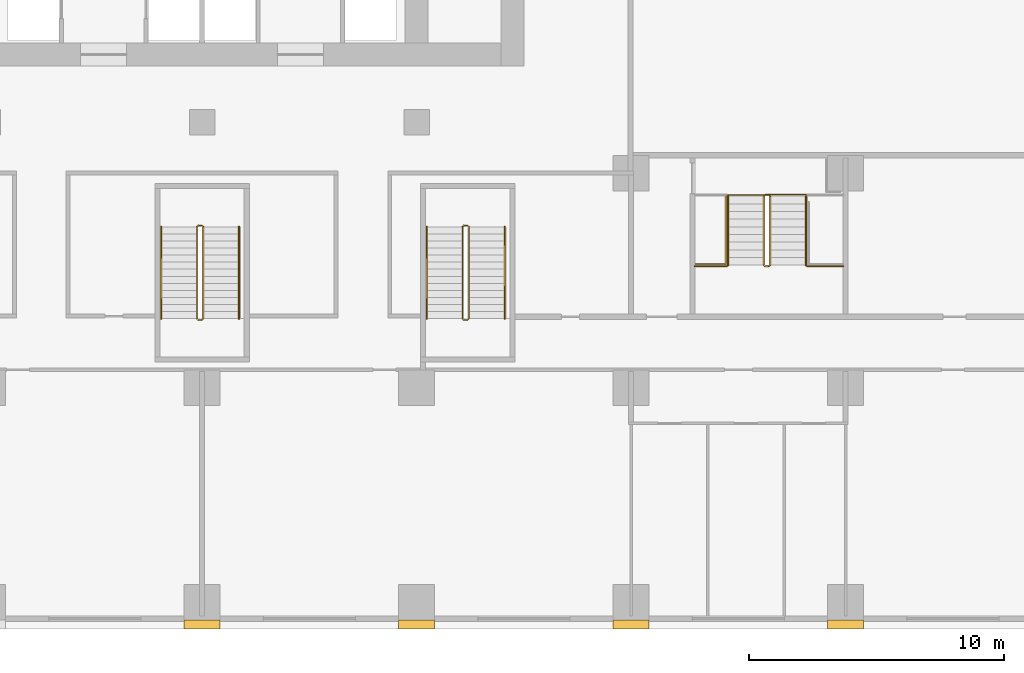
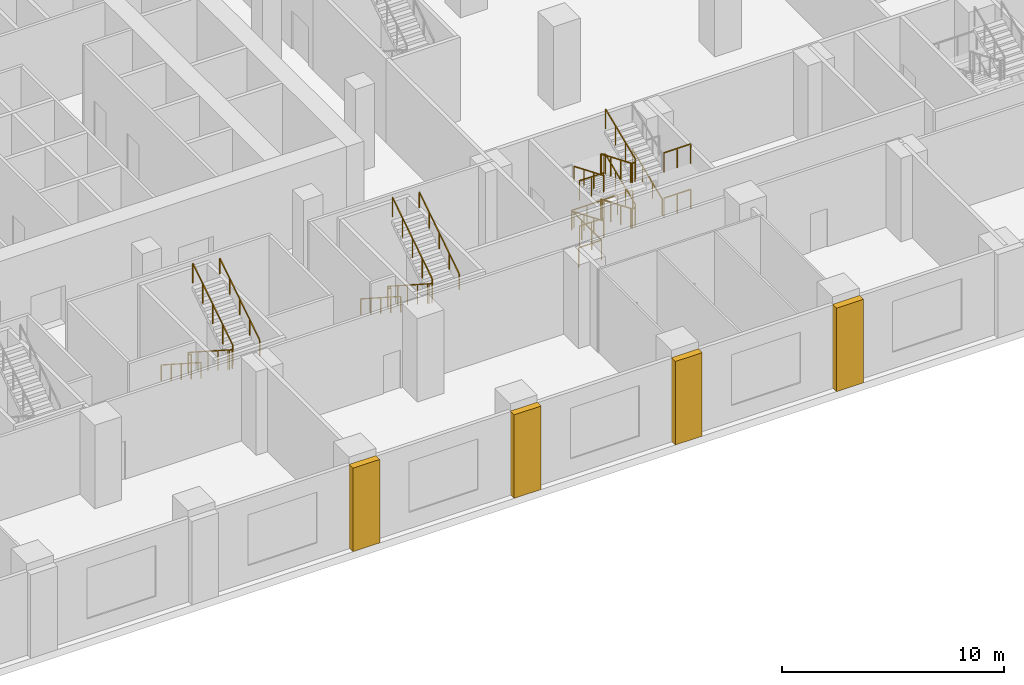
# One storey, part 22 of 29: 15 railings, 4 coverings.
"""IFC4 building model written with IfcOpenShell, lengths in metres."""

import ifcopenshell
import ifcopenshell.guid

model = None  # the IFC model being written
_history = None  # IfcOwnerHistory: only IFC2X3 demands one
_inside = {}  # id of a spatial element -> (the spatial element, [elements in it])
_under = {}  # id of a project, library or spatial element -> (it, [spatial elements below it])
_declared = {}  # id of a project -> (the project, [libraries it declares])
_typed = {}  # id of a type object -> (the type object, [elements of that type])
_made_of = {}  # id of a material, layer set ... -> (it, [elements and type objects made of it])


def new_model(schema):
    """Start an empty IFC model of exactly this schema.

    Asked for "IFC4X3", IfcOpenShell would pick the latest addendum, in which some entities
    have other attributes; the version numbers below select the first issue.
    IFC2X3 requires an IfcOwnerHistory on every rooted entity: one is made here for all.
    """
    global model, _history
    if schema == "IFC4X3":
        model = ifcopenshell.file(schema_version=(4, 3, 0, 0))
    else:
        model = ifcopenshell.file(schema=schema)
    _inside.clear()
    _under.clear()
    _declared.clear()
    _typed.clear()
    _made_of.clear()
    _history = None
    if model.schema == "IFC2X3":
        org = make("IfcOrganization", Name="unknown")
        user = make(
            "IfcPersonAndOrganization",
            ThePerson=make("IfcPerson", FamilyName="unknown"),
            TheOrganization=org,
        )
        app = make(
            "IfcApplication",
            ApplicationDeveloper=org,
            Version="unknown",
            ApplicationFullName="unknown",
            ApplicationIdentifier="unknown",
        )
        _history = make(
            "IfcOwnerHistory",
            OwningUser=user,
            OwningApplication=app,
            ChangeAction="ADDED",
            CreationDate=0,
        )
    return model


def make(cls, **values):
    """One entity of the class cls with the attributes given. An attribute that is None is left unset."""
    return model.create_entity(
        cls, **{name: value for name, value in values.items() if value is not None}
    )


def rooted(cls, **values):
    """An entity with a GlobalId (a new one), such as an element, a storey or a relation."""
    return make(cls, GlobalId=ifcopenshell.guid.new(), OwnerHistory=_history, **values)


def si_unit(unit_type, name, prefix=None):
    """IfcSIUnit, for example si_unit("LENGTHUNIT", "METRE", prefix="MILLI")."""
    return make("IfcSIUnit", UnitType=unit_type, Prefix=prefix, Name=name)


def assignment(units):
    """IfcUnitAssignment: the units of a project."""
    return None if units is None else make("IfcUnitAssignment", Units=units)


def point(xyz):
    """IfcCartesianPoint."""
    return None if xyz is None else make("IfcCartesianPoint", Coordinates=xyz)


def direction(xyz):
    """IfcDirection."""
    return None if xyz is None else make("IfcDirection", DirectionRatios=xyz)


def frame(location, z_axis=None, x_axis=None):
    """IfcAxis2Placement3D, a coordinate frame: its origin and axes. An axis left out is left unset."""
    return make(
        "IfcAxis2Placement3D",
        Location=point(location),
        Axis=direction(z_axis),
        RefDirection=direction(x_axis),
    )


def frame_2d(location, x_axis=None):
    """IfcAxis2Placement2D, a coordinate frame in the plane: its origin and x axis."""
    return make(
        "IfcAxis2Placement2D", Location=point(location), RefDirection=direction(x_axis)
    )


def origin():
    """The frame at (0, 0, 0) with its axes left unset."""
    return frame((0.0, 0.0, 0.0))


def origin_2d():
    """The frame at (0, 0) in the plane with its x axis left unset."""
    return frame_2d((0.0, 0.0))


def place(relative_to, where):
    """IfcLocalPlacement: puts the frame where relative to a parent placement (None: the world)."""
    return make(
        "IfcLocalPlacement", PlacementRelTo=relative_to, RelativePlacement=where
    )


def context(
    kind, dimensions, precision=None, world=None, true_north=None, identifier=None
):
    """IfcGeometricRepresentationContext, for example the 3D "Model" context."""
    return make(
        "IfcGeometricRepresentationContext",
        ContextIdentifier=identifier,
        ContextType=kind,
        CoordinateSpaceDimension=dimensions,
        Precision=precision,
        WorldCoordinateSystem=world,
        TrueNorth=true_north,
    )


def subcontext(parent, identifier, kind, view, scale=None):
    """IfcGeometricRepresentationSubContext, for example "Body" below "Model"."""
    return make(
        "IfcGeometricRepresentationSubContext",
        ContextIdentifier=identifier,
        ContextType=kind,
        ParentContext=parent,
        TargetScale=scale,
        TargetView=view,
    )


def project(units=None, contexts=None):
    """IfcProject with its units and contexts."""
    return rooted(
        "IfcProject",
        Name="project",
        RepresentationContexts=contexts,
        UnitsInContext=assignment(units),
    )


def spatial(cls, under=None, at=None, **own):
    """A site, building, storey or space (cls), placed at a placement, below another one or the project."""
    s = rooted(cls, ObjectPlacement=at, **own)
    if under is not None:
        _under.setdefault(under.id(), (under, []))[1].append(s)
    return s


def polyline(points):
    """IfcPolyline through the points."""
    return make("IfcPolyline", Points=[point(p) for p in points])


def profile(cls, at=None, kind="AREA", **sizes):
    """A parametric profile (cls). Its sizes go by their IFC names, for example OverallWidth=200.0."""
    return make(cls, ProfileType=kind, Position=at, **sizes)


def rectangle(**sizes):
    """IfcRectangleProfileDef."""
    return profile("IfcRectangleProfileDef", **sizes)


def outline(outer, holes=None, kind="AREA"):
    """IfcArbitraryClosedProfileDef: a profile drawn as a closed curve; with holes, ...WithVoids."""
    if holes is None:
        return make("IfcArbitraryClosedProfileDef", ProfileType=kind, OuterCurve=outer)
    return make(
        "IfcArbitraryProfileDefWithVoids",
        ProfileType=kind,
        OuterCurve=outer,
        InnerCurves=holes,
    )


def extrude(swept, where, along, depth):
    """IfcExtrudedAreaSolid: the profile swept, set in the frame where, extruded along a direction by depth."""
    return make(
        "IfcExtrudedAreaSolid",
        SweptArea=swept,
        Position=where,
        ExtrudedDirection=direction(along),
        Depth=depth,
    )


def shape(context_of_items, identifier, shape_type, items):
    """IfcShapeRepresentation: the items that make up one representation, for example the "Body"."""
    return make(
        "IfcShapeRepresentation",
        ContextOfItems=context_of_items,
        RepresentationIdentifier=identifier,
        RepresentationType=shape_type,
        Items=items,
    )


def material(Name=None, Category=None):
    """IfcMaterial."""
    return make("IfcMaterial", Name=Name, Category=Category)


def made_of(thing, what):
    """Note that an element or type object is made of a material, layer set ...; save() writes the relation."""
    if what is not None:
        _made_of.setdefault(what.id(), (what, []))[1].append(thing)
    return thing


def type_object(cls, material=None, **own):
    """A type object (cls), such as IfcWallType, which elements share."""
    return made_of(rooted(cls, **own), material)


def element(
    cls,
    number,
    at=None,
    inside=None,
    cuts=None,
    type_object=None,
    material=None,
    context=None,
    identifier="Body",
    shape_type=None,
    held_by="IfcProductDefinitionShape",
    body=None,
    shapes=None,
    **own,
):
    """One element of the class cls, such as IfcWall. Its Tag is "e" and its number.

    at: its placement. inside: the storey or other place that contains it. cuts: it is an
    opening in that element (IfcRelVoidsElement). A single representation is given by context,
    identifier, shape_type and body (its items); several are given by shapes. held_by: the class
    of the entity that holds the representations. save() writes the other relations.
    """
    e = rooted(cls, Tag="e%d" % number, ObjectPlacement=at, **own)
    if body is not None:
        shapes = [shape(context, identifier, shape_type, body)]
    if shapes is not None:
        e.Representation = make(held_by, Representations=shapes)
    if inside is not None:
        _inside.setdefault(inside.id(), (inside, []))[1].append(e)
    if cuts is not None:
        rooted(
            "IfcRelVoidsElement", RelatingBuildingElement=cuts, RelatedOpeningElement=e
        )
    if type_object is not None:
        _typed.setdefault(type_object.id(), (type_object, []))[1].append(e)
    return made_of(e, material)


def aggregate(whole, parts):
    """IfcRelAggregates: a whole, such as a stair, and the parts it consists of."""
    return rooted("IfcRelAggregates", RelatingObject=whole, RelatedObjects=parts)


def save(model, path):
    """Write the relations noted so far, then the file.

    IfcRelAggregates (storeys below a building ...), IfcRelContainedInSpatialStructure (elements
    in a storey), IfcRelDefinesByType, IfcRelAssociatesMaterial and IfcRelDeclares: one each for
    every whole, place, type object, material and project.
    """
    for whole, parts in _under.values():
        aggregate(whole, parts)
    for where, things in _inside.values():
        rooted(
            "IfcRelContainedInSpatialStructure",
            RelatedElements=things,
            RelatingStructure=where,
        )
    for kind, things in _typed.values():
        rooted("IfcRelDefinesByType", RelatedObjects=things, RelatingType=kind)
    for what, things in _made_of.values():
        rooted("IfcRelAssociatesMaterial", RelatedObjects=things, RelatingMaterial=what)
    for by, libraries in _declared.values():
        rooted("IfcRelDeclares", RelatingContext=by, RelatedDefinitions=libraries)
    model.write(path)


model = new_model("IFC4")

# Units and contexts
model_context = context("Model", 3, precision=1e-05, world=origin(), true_north=direction((0.0, 1.0)))
body_context = subcontext(model_context, "Body", "Model", "MODEL_VIEW")
ifc_project = project(units=[si_unit("LENGTHUNIT", "METRE"), si_unit("AREAUNIT", "SQUARE_METRE"), si_unit("VOLUMEUNIT", "CUBIC_METRE"), si_unit("PLANEANGLEUNIT", "RADIAN"), si_unit("MASSUNIT", "GRAM", prefix="KILO")], contexts=[model_context])

# Site, building, storey
site_placement = place(None, origin())
site = spatial("IfcSite", under=ifc_project, at=site_placement, CompositionType="ELEMENT")
building_placement = place(site_placement, origin())
building = spatial("IfcBuilding", under=site, at=building_placement, Name="Vermilion Ogive Tower", CompositionType="ELEMENT")
storey_placement = place(building_placement, frame((0.0, 0.0, 7.5)))
storey = spatial("IfcBuildingStorey", under=building, at=storey_placement, Name="L01", CompositionType="ELEMENT", Elevation=7.5)

# Railings
ifc_material_1 = material(Name="Steel S355 painted", Category="steel")
railing_type_1 = type_object("IfcRailingType", Name="Stair guard 1100", PredefinedType="GUARDRAIL", material=ifc_material_1)
railing_1_placement = place(storey_placement, frame((0.0, -14.64990234375, 0.0)))
element("IfcRailing", 1, at=railing_1_placement, inside=storey, type_object=railing_type_1, Name="L01 ST4 stair guard 4", PredefinedType="GUARDRAIL", context=body_context, shape_type="SweptSolid", body=[
    extrude(rectangle(XDim=0.048095703125, YDim=0.048095703125, at=origin_2d()), frame((0.0, 0.0, 1.076171875), z_axis=(-1.0, 0.0, 0.0), x_axis=(0.0, -1.0, 0.0)), (0.0, 0.0, 1.0), 0.14990234375),
    extrude(rectangle(XDim=0.048095703125, YDim=0.048095703125, at=origin_2d()), frame((-0.14990234375, 0.0, 1.076171875), z_axis=(-0.260684529273, -0.260684529273, 0.929562882432), x_axis=(0.707106781187, -0.707106781187, 0.0)), (0.0, 0.0, 1.0), 0.19189453125),
    extrude(rectangle(XDim=0.048095703125, YDim=0.048095703125, at=origin_2d()), frame((-0.199951171875, -0.050048828125, 1.25439453125), z_axis=(0.0, -0.840414717549, 0.541943818607), x_axis=(1.0, 0.0, 0.0)), (0.0, 0.0, 1.0), 4.28369140625),
    extrude(rectangle(XDim=0.048095703125, YDim=0.048095703125, at=origin_2d()), frame((-0.199951171875, -3.650146484375, 3.576171875), z_axis=(0.707106781187, -0.707106781187, 0.0), x_axis=(0.707106781187, 0.707106781187, 0.0)), (0.0, 0.0, 1.0), 0.07080078125),
    extrude(rectangle(XDim=0.048095703125, YDim=0.048095703125, at=origin_2d()), frame((-0.14990234375, -3.7001953125, 3.576171875), z_axis=(1.0, 0.0, 0.0), x_axis=(0.0, 1.0, 0.0)), (0.0, 0.0, 1.0), 0.14990234375),
    extrude(rectangle(XDim=0.048095703125, YDim=0.048095703125, at=origin_2d()), frame((0.0, -3.7001953125, 3.576171875), z_axis=(0.260684529273, 0.260684529273, 0.929562882432), x_axis=(-0.707106781187, 0.707106781187, 0.0)), (0.0, 0.0, 1.0), 0.19189453125),
    extrude(rectangle(XDim=0.048095703125, YDim=0.048095703125, at=origin_2d()), frame((0.050048828125, -3.650146484375, 3.75439453125), z_axis=(0.0, 0.840414717549, 0.541943818607), x_axis=(-1.0, 0.0, 0.0)), (0.0, 0.0, 1.0), 4.28369140625),
    extrude(rectangle(XDim=0.0419921875, YDim=0.0419921875, at=origin_2d()), origin(), (0.0, 0.0, 1.0), 1.052001953125),
    extrude(rectangle(XDim=0.0419921875, YDim=0.0419921875, at=origin_2d()), frame((-0.14990234375, 0.0, 0.0)), (0.0, 0.0, 1.0), 1.052001953125),
    extrude(rectangle(XDim=0.0419921875, YDim=0.0419921875, at=origin_2d()), frame((-0.199951171875, -0.050048828125, 0.178466796875)), (0.0, 0.0, 1.0), 1.052001953125),
    extrude(rectangle(XDim=0.0419921875, YDim=0.0419921875, at=origin_2d()), frame((-0.199951171875, -0.9501953125, 0.7587890625)), (0.0, 0.0, 1.0), 1.052001953125),
    extrude(rectangle(XDim=0.0419921875, YDim=0.0419921875, at=origin_2d()), frame((-0.199951171875, -1.85009765625, 1.33935546875)), (0.0, 0.0, 1.0), 1.052001953125),
    extrude(rectangle(XDim=0.0419921875, YDim=0.0419921875, at=origin_2d()), frame((-0.199951171875, -2.75, 1.919677734375)), (0.0, 0.0, 1.0), 1.052001953125),
    extrude(rectangle(XDim=0.0419921875, YDim=0.0419921875, at=origin_2d()), frame((-0.199951171875, -3.650146484375, 2.5)), (0.0, 0.0, 1.0), 1.052001953125),
    extrude(rectangle(XDim=0.0419921875, YDim=0.0419921875, at=origin_2d()), frame((-0.14990234375, -3.7001953125, 2.5)), (0.0, 0.0, 1.0), 1.052001953125),
    extrude(rectangle(XDim=0.0419921875, YDim=0.0419921875, at=origin_2d()), frame((0.0, -3.7001953125, 2.5)), (0.0, 0.0, 1.0), 1.052001953125),
    extrude(rectangle(XDim=0.0419921875, YDim=0.0419921875, at=origin_2d()), frame((0.050048828125, -3.650146484375, 2.678466796875)), (0.0, 0.0, 1.0), 1.052001953125),
    extrude(rectangle(XDim=0.0419921875, YDim=0.0419921875, at=origin_2d()), frame((0.050048828125, -2.75, 3.2587890625)), (0.0, 0.0, 1.0), 1.052001953125),
    extrude(rectangle(XDim=0.0419921875, YDim=0.0419921875, at=origin_2d()), frame((0.050048828125, -1.85009765625, 3.83935546875)), (0.0, 0.0, 1.0), 1.052001953125),
    extrude(rectangle(XDim=0.0419921875, YDim=0.0419921875, at=origin_2d()), frame((0.050048828125, -0.9501953125, 4.419677734375)), (0.0, 0.0, 1.0), 1.052001953125),
    extrude(rectangle(XDim=0.0419921875, YDim=0.0419921875, at=origin_2d()), frame((0.050048828125, -0.050048828125, 5.0)), (0.0, 0.0, 1.0), 1.052001953125),
])
railing_2_placement = place(storey_placement, frame((10.39990234375, -14.64990234375, 0.0)))
element("IfcRailing", 2, at=railing_2_placement, inside=storey, type_object=railing_type_1, Name="L01 ST5 stair guard 4", PredefinedType="GUARDRAIL", context=body_context, shape_type="SweptSolid", body=[
    extrude(rectangle(XDim=0.048095703125, YDim=0.048095703125, at=origin_2d()), frame((0.0, 0.0, 1.076171875), z_axis=(-1.0, 0.0, 0.0), x_axis=(0.0, -1.0, 0.0)), (0.0, 0.0, 1.0), 0.14990234375),
    extrude(rectangle(XDim=0.048095703125, YDim=0.048095703125, at=origin_2d()), frame((-0.14990234375, 0.0, 1.076171875), z_axis=(-0.260684529273, -0.260684529273, 0.929562882432), x_axis=(0.707106781187, -0.707106781187, 0.0)), (0.0, 0.0, 1.0), 0.19189453125),
    extrude(rectangle(XDim=0.048095703125, YDim=0.048095703125, at=origin_2d()), frame((-0.199951171875, -0.050048828125, 1.25439453125), z_axis=(0.0, -0.840414717549, 0.541943818607), x_axis=(1.0, 0.0, 0.0)), (0.0, 0.0, 1.0), 4.28369140625),
    extrude(rectangle(XDim=0.048095703125, YDim=0.048095703125, at=origin_2d()), frame((-0.199951171875, -3.650146484375, 3.576171875), z_axis=(0.707106781187, -0.707106781187, 0.0), x_axis=(0.707106781187, 0.707106781187, 0.0)), (0.0, 0.0, 1.0), 0.07080078125),
    extrude(rectangle(XDim=0.048095703125, YDim=0.048095703125, at=origin_2d()), frame((-0.14990234375, -3.7001953125, 3.576171875), z_axis=(1.0, 0.0, 0.0), x_axis=(0.0, 1.0, 0.0)), (0.0, 0.0, 1.0), 0.14990234375),
    extrude(rectangle(XDim=0.048095703125, YDim=0.048095703125, at=origin_2d()), frame((0.0, -3.7001953125, 3.576171875), z_axis=(0.260684529273, 0.260684529273, 0.929562882432), x_axis=(-0.707106781187, 0.707106781187, 0.0)), (0.0, 0.0, 1.0), 0.19189453125),
    extrude(rectangle(XDim=0.048095703125, YDim=0.048095703125, at=origin_2d()), frame((0.050048828125, -3.650146484375, 3.75439453125), z_axis=(0.0, 0.840414717549, 0.541943818607), x_axis=(-1.0, 0.0, 0.0)), (0.0, 0.0, 1.0), 4.28369140625),
    extrude(rectangle(XDim=0.0419921875, YDim=0.0419921875, at=origin_2d()), origin(), (0.0, 0.0, 1.0), 1.052001953125),
    extrude(rectangle(XDim=0.0419921875, YDim=0.0419921875, at=origin_2d()), frame((-0.14990234375, 0.0, 0.0)), (0.0, 0.0, 1.0), 1.052001953125),
    extrude(rectangle(XDim=0.0419921875, YDim=0.0419921875, at=origin_2d()), frame((-0.199951171875, -0.050048828125, 0.178466796875)), (0.0, 0.0, 1.0), 1.052001953125),
    extrude(rectangle(XDim=0.0419921875, YDim=0.0419921875, at=origin_2d()), frame((-0.199951171875, -0.9501953125, 0.7587890625)), (0.0, 0.0, 1.0), 1.052001953125),
    extrude(rectangle(XDim=0.0419921875, YDim=0.0419921875, at=origin_2d()), frame((-0.199951171875, -1.85009765625, 1.33935546875)), (0.0, 0.0, 1.0), 1.052001953125),
    extrude(rectangle(XDim=0.0419921875, YDim=0.0419921875, at=origin_2d()), frame((-0.199951171875, -2.75, 1.919677734375)), (0.0, 0.0, 1.0), 1.052001953125),
    extrude(rectangle(XDim=0.0419921875, YDim=0.0419921875, at=origin_2d()), frame((-0.199951171875, -3.650146484375, 2.5)), (0.0, 0.0, 1.0), 1.052001953125),
    extrude(rectangle(XDim=0.0419921875, YDim=0.0419921875, at=origin_2d()), frame((-0.14990234375, -3.7001953125, 2.5)), (0.0, 0.0, 1.0), 1.052001953125),
    extrude(rectangle(XDim=0.0419921875, YDim=0.0419921875, at=origin_2d()), frame((0.0, -3.7001953125, 2.5)), (0.0, 0.0, 1.0), 1.052001953125),
    extrude(rectangle(XDim=0.0419921875, YDim=0.0419921875, at=origin_2d()), frame((0.050048828125, -3.650146484375, 2.678466796875)), (0.0, 0.0, 1.0), 1.052001953125),
    extrude(rectangle(XDim=0.0419921875, YDim=0.0419921875, at=origin_2d()), frame((0.050048828125, -2.75, 3.2587890625)), (0.0, 0.0, 1.0), 1.052001953125),
    extrude(rectangle(XDim=0.0419921875, YDim=0.0419921875, at=origin_2d()), frame((0.050048828125, -1.85009765625, 3.83935546875)), (0.0, 0.0, 1.0), 1.052001953125),
    extrude(rectangle(XDim=0.0419921875, YDim=0.0419921875, at=origin_2d()), frame((0.050048828125, -0.9501953125, 4.419677734375)), (0.0, 0.0, 1.0), 1.052001953125),
    extrude(rectangle(XDim=0.0419921875, YDim=0.0419921875, at=origin_2d()), frame((0.050048828125, -0.050048828125, 5.0)), (0.0, 0.0, 1.0), 1.052001953125),
])
railing_3_placement = place(storey_placement, frame((22.199951171875, -13.449951171875, 0.0)))
element("IfcRailing", 3, at=railing_3_placement, inside=storey, type_object=railing_type_1, Name="L01 PS3 stair guard 8", PredefinedType="GUARDRAIL", context=body_context, shape_type="SweptSolid", body=[
    extrude(rectangle(XDim=0.048095703125, YDim=0.048095703125, at=origin_2d()), frame((0.0, 0.0, 1.076171875), z_axis=(-1.0, 0.0, 0.0), x_axis=(0.0, -1.0, 0.0)), (0.0, 0.0, 1.0), 0.14990234375),
    extrude(rectangle(XDim=0.048095703125, YDim=0.048095703125, at=origin_2d()), frame((-0.14990234375, 0.0, 1.076171875), z_axis=(-0.34841279274, -0.34841279274, 0.870182194549), x_axis=(0.707106781187, -0.707106781187, 0.0)), (0.0, 0.0, 1.0), 0.1435546875),
    extrude(rectangle(XDim=0.048095703125, YDim=0.048095703125, at=origin_2d()), frame((-0.199951171875, -0.050048828125, 1.201171875), z_axis=(0.0, -0.923074453586, 0.384621311341), x_axis=(1.0, 0.0, 0.0)), (0.0, 0.0, 1.0), 2.925048828125),
    extrude(rectangle(XDim=0.048095703125, YDim=0.048095703125, at=origin_2d()), frame((-0.199951171875, -2.75, 2.326171875), z_axis=(0.707106781187, -0.707106781187, 0.0), x_axis=(0.707106781187, 0.707106781187, 0.0)), (0.0, 0.0, 1.0), 0.07080078125),
    extrude(rectangle(XDim=0.048095703125, YDim=0.048095703125, at=origin_2d()), frame((-0.14990234375, -2.800048828125, 2.326171875), z_axis=(1.0, 0.0, 0.0), x_axis=(0.0, 1.0, 0.0)), (0.0, 0.0, 1.0), 0.14990234375),
    extrude(rectangle(XDim=0.048095703125, YDim=0.048095703125, at=origin_2d()), frame((0.0, -2.800048828125, 2.326171875), z_axis=(0.34841279274, 0.34841279274, 0.870182194549), x_axis=(-0.707106781187, 0.707106781187, 0.0)), (0.0, 0.0, 1.0), 0.1435546875),
    extrude(rectangle(XDim=0.048095703125, YDim=0.048095703125, at=origin_2d()), frame((0.050048828125, -2.75, 2.451171875), z_axis=(0.0, 0.923074453586, 0.384621311341), x_axis=(-1.0, 0.0, 0.0)), (0.0, 0.0, 1.0), 2.925048828125),
    extrude(rectangle(XDim=0.048095703125, YDim=0.048095703125, at=origin_2d()), frame((0.050048828125, -0.050048828125, 3.576171875), z_axis=(-0.707106781187, 0.707106781187, 0.0), x_axis=(-0.707106781187, -0.707106781187, 0.0)), (0.0, 0.0, 1.0), 0.07080078125),
    extrude(rectangle(XDim=0.048095703125, YDim=0.048095703125, at=origin_2d()), frame((0.0, 0.0, 3.576171875), z_axis=(-1.0, 0.0, 0.0), x_axis=(0.0, -1.0, 0.0)), (0.0, 0.0, 1.0), 0.14990234375),
    extrude(rectangle(XDim=0.048095703125, YDim=0.048095703125, at=origin_2d()), frame((-0.14990234375, 0.0, 3.576171875), z_axis=(-0.34841279274, -0.34841279274, 0.870182194549), x_axis=(0.707106781187, -0.707106781187, 0.0)), (0.0, 0.0, 1.0), 0.1435546875),
    extrude(rectangle(XDim=0.048095703125, YDim=0.048095703125, at=origin_2d()), frame((-0.199951171875, -0.050048828125, 3.701171875), z_axis=(0.0, -0.923074453586, 0.384621311341), x_axis=(1.0, 0.0, 0.0)), (0.0, 0.0, 1.0), 2.925048828125),
    extrude(rectangle(XDim=0.048095703125, YDim=0.048095703125, at=origin_2d()), frame((-0.199951171875, -2.75, 4.826171875), z_axis=(0.707106781187, -0.707106781187, 0.0), x_axis=(0.707106781187, 0.707106781187, 0.0)), (0.0, 0.0, 1.0), 0.07080078125),
    extrude(rectangle(XDim=0.048095703125, YDim=0.048095703125, at=origin_2d()), frame((-0.14990234375, -2.800048828125, 4.826171875), z_axis=(1.0, 0.0, 0.0), x_axis=(0.0, 1.0, 0.0)), (0.0, 0.0, 1.0), 0.14990234375),
    extrude(rectangle(XDim=0.048095703125, YDim=0.048095703125, at=origin_2d()), frame((0.0, -2.800048828125, 4.826171875), z_axis=(0.34841279274, 0.34841279274, 0.870182194549), x_axis=(-0.707106781187, 0.707106781187, 0.0)), (0.0, 0.0, 1.0), 0.1435546875),
    extrude(rectangle(XDim=0.048095703125, YDim=0.048095703125, at=origin_2d()), frame((0.050048828125, -2.75, 4.951171875), z_axis=(0.0, 0.923074453586, 0.384621311341), x_axis=(-1.0, 0.0, 0.0)), (0.0, 0.0, 1.0), 2.925048828125),
    extrude(rectangle(XDim=0.0419921875, YDim=0.0419921875, at=origin_2d()), origin(), (0.0, 0.0, 1.0), 1.052001953125),
    extrude(rectangle(XDim=0.0419921875, YDim=0.0419921875, at=origin_2d()), frame((-0.14990234375, 0.0, 0.0)), (0.0, 0.0, 1.0), 1.052001953125),
    extrude(rectangle(XDim=0.0419921875, YDim=0.0419921875, at=origin_2d()), frame((-0.199951171875, -0.050048828125, 0.125)), (0.0, 0.0, 1.0), 1.052001953125),
    extrude(rectangle(XDim=0.0419921875, YDim=0.0419921875, at=origin_2d()), frame((-0.199951171875, -0.949951171875, 0.5)), (0.0, 0.0, 1.0), 1.052001953125),
    extrude(rectangle(XDim=0.0419921875, YDim=0.0419921875, at=origin_2d()), frame((-0.199951171875, -1.85009765625, 0.875)), (0.0, 0.0, 1.0), 1.052001953125),
    extrude(rectangle(XDim=0.0419921875, YDim=0.0419921875, at=origin_2d()), frame((-0.199951171875, -2.75, 1.25)), (0.0, 0.0, 1.0), 1.052001953125),
    extrude(rectangle(XDim=0.0419921875, YDim=0.0419921875, at=origin_2d()), frame((-0.14990234375, -2.800048828125, 1.25)), (0.0, 0.0, 1.0), 1.052001953125),
    extrude(rectangle(XDim=0.0419921875, YDim=0.0419921875, at=origin_2d()), frame((0.0, -2.800048828125, 1.25)), (0.0, 0.0, 1.0), 1.052001953125),
    extrude(rectangle(XDim=0.0419921875, YDim=0.0419921875, at=origin_2d()), frame((0.050048828125, -2.75, 1.375)), (0.0, 0.0, 1.0), 1.052001953125),
    extrude(rectangle(XDim=0.0419921875, YDim=0.0419921875, at=origin_2d()), frame((0.050048828125, -1.85009765625, 1.75)), (0.0, 0.0, 1.0), 1.052001953125),
    extrude(rectangle(XDim=0.0419921875, YDim=0.0419921875, at=origin_2d()), frame((0.050048828125, -0.949951171875, 2.125)), (0.0, 0.0, 1.0), 1.052001953125),
    extrude(rectangle(XDim=0.0419921875, YDim=0.0419921875, at=origin_2d()), frame((0.050048828125, -0.050048828125, 2.5)), (0.0, 0.0, 1.0), 1.052001953125),
    extrude(rectangle(XDim=0.0419921875, YDim=0.0419921875, at=origin_2d()), frame((0.0, 0.0, 2.5)), (0.0, 0.0, 1.0), 1.052001953125),
    extrude(rectangle(XDim=0.0419921875, YDim=0.0419921875, at=origin_2d()), frame((-0.14990234375, 0.0, 2.5)), (0.0, 0.0, 1.0), 1.052001953125),
    extrude(rectangle(XDim=0.0419921875, YDim=0.0419921875, at=origin_2d()), frame((-0.199951171875, -0.050048828125, 2.625)), (0.0, 0.0, 1.0), 1.052001953125),
    extrude(rectangle(XDim=0.0419921875, YDim=0.0419921875, at=origin_2d()), frame((-0.199951171875, -0.949951171875, 3.0)), (0.0, 0.0, 1.0), 1.052001953125),
    extrude(rectangle(XDim=0.0419921875, YDim=0.0419921875, at=origin_2d()), frame((-0.199951171875, -1.85009765625, 3.375)), (0.0, 0.0, 1.0), 1.052001953125),
    extrude(rectangle(XDim=0.0419921875, YDim=0.0419921875, at=origin_2d()), frame((-0.199951171875, -2.75, 3.75)), (0.0, 0.0, 1.0), 1.052001953125),
    extrude(rectangle(XDim=0.0419921875, YDim=0.0419921875, at=origin_2d()), frame((-0.14990234375, -2.800048828125, 3.75)), (0.0, 0.0, 1.0), 1.052001953125),
    extrude(rectangle(XDim=0.0419921875, YDim=0.0419921875, at=origin_2d()), frame((0.0, -2.800048828125, 3.75)), (0.0, 0.0, 1.0), 1.052001953125),
    extrude(rectangle(XDim=0.0419921875, YDim=0.0419921875, at=origin_2d()), frame((0.050048828125, -2.75, 3.875)), (0.0, 0.0, 1.0), 1.052001953125),
    extrude(rectangle(XDim=0.0419921875, YDim=0.0419921875, at=origin_2d()), frame((0.050048828125, -1.85009765625, 4.25)), (0.0, 0.0, 1.0), 1.052001953125),
    extrude(rectangle(XDim=0.0419921875, YDim=0.0419921875, at=origin_2d()), frame((0.050048828125, -0.949951171875, 4.625)), (0.0, 0.0, 1.0), 1.052001953125),
    extrude(rectangle(XDim=0.0419921875, YDim=0.0419921875, at=origin_2d()), frame((0.050048828125, -0.050048828125, 5.0)), (0.0, 0.0, 1.0), 1.052001953125),
])
railing_4_placement = place(storey_placement, frame((19.300048828125, -16.25, 1.25)))
element("IfcRailing", 4, at=railing_4_placement, inside=storey, type_object=railing_type_1, Name="L01 landing guard", PredefinedType="GUARDRAIL", context=body_context, shape_type="SweptSolid", body=[
    extrude(rectangle(XDim=0.048095703125, YDim=0.048095703125, at=origin_2d()), frame((0.0, 0.0, 1.076171875), z_axis=(1.0, 0.0, 0.0), x_axis=(0.0, 1.0, 0.0)), (0.0, 0.0, 1.0), 1.25),
    extrude(rectangle(XDim=0.0419921875, YDim=0.0419921875, at=origin_2d()), origin(), (0.0, 0.0, 1.0), 1.052001953125),
    extrude(rectangle(XDim=0.0419921875, YDim=0.0419921875, at=origin_2d()), frame((0.625, 0.0, 0.0)), (0.0, 0.0, 1.0), 1.052001953125),
    extrude(rectangle(XDim=0.0419921875, YDim=0.0419921875, at=origin_2d()), frame((1.25, 0.0, 0.0)), (0.0, 0.0, 1.0), 1.052001953125),
])
railing_5_placement = place(storey_placement, frame((23.699951171875, -16.25, 1.25)))
element("IfcRailing", 5, at=railing_5_placement, inside=storey, type_object=railing_type_1, Name="L01 landing guard", PredefinedType="GUARDRAIL", context=body_context, shape_type="SweptSolid", body=[
    extrude(rectangle(XDim=0.048095703125, YDim=0.048095703125, at=origin_2d()), frame((0.0, 0.0, 1.076171875), z_axis=(1.0, 0.0, 0.0), x_axis=(0.0, 1.0, 0.0)), (0.0, 0.0, 1.0), 1.39990234375),
    extrude(rectangle(XDim=0.0419921875, YDim=0.0419921875, at=origin_2d()), origin(), (0.0, 0.0, 1.0), 1.052001953125),
    extrude(rectangle(XDim=0.0419921875, YDim=0.0419921875, at=origin_2d()), frame((0.699951171875, 0.0, 0.0)), (0.0, 0.0, 1.0), 1.052001953125),
    extrude(rectangle(XDim=0.0419921875, YDim=0.0419921875, at=origin_2d()), frame((1.39990234375, 0.0, 0.0)), (0.0, 0.0, 1.0), 1.052001953125),
])
railing_6_placement = place(storey_placement, frame((19.300048828125, -16.25, 3.75)))
element("IfcRailing", 6, at=railing_6_placement, inside=storey, type_object=railing_type_1, Name="L01 landing guard", PredefinedType="GUARDRAIL", context=body_context, shape_type="SweptSolid", body=[
    extrude(rectangle(XDim=0.048095703125, YDim=0.048095703125, at=origin_2d()), frame((0.0, 0.0, 1.076171875), z_axis=(1.0, 0.0, 0.0), x_axis=(0.0, 1.0, 0.0)), (0.0, 0.0, 1.0), 1.25),
    extrude(rectangle(XDim=0.0419921875, YDim=0.0419921875, at=origin_2d()), origin(), (0.0, 0.0, 1.0), 1.052001953125),
    extrude(rectangle(XDim=0.0419921875, YDim=0.0419921875, at=origin_2d()), frame((0.625, 0.0, 0.0)), (0.0, 0.0, 1.0), 1.052001953125),
    extrude(rectangle(XDim=0.0419921875, YDim=0.0419921875, at=origin_2d()), frame((1.25, 0.0, 0.0)), (0.0, 0.0, 1.0), 1.052001953125),
])
railing_7_placement = place(storey_placement, frame((23.699951171875, -16.25, 3.75)))
element("IfcRailing", 7, at=railing_7_placement, inside=storey, type_object=railing_type_1, Name="L01 landing guard", PredefinedType="GUARDRAIL", context=body_context, shape_type="SweptSolid", body=[
    extrude(rectangle(XDim=0.048095703125, YDim=0.048095703125, at=origin_2d()), frame((0.0, 0.0, 1.076171875), z_axis=(1.0, 0.0, 0.0), x_axis=(0.0, 1.0, 0.0)), (0.0, 0.0, 1.0), 1.39990234375),
    extrude(rectangle(XDim=0.0419921875, YDim=0.0419921875, at=origin_2d()), origin(), (0.0, 0.0, 1.0), 1.052001953125),
    extrude(rectangle(XDim=0.0419921875, YDim=0.0419921875, at=origin_2d()), frame((0.699951171875, 0.0, 0.0)), (0.0, 0.0, 1.0), 1.052001953125),
    extrude(rectangle(XDim=0.0419921875, YDim=0.0419921875, at=origin_2d()), frame((1.39990234375, 0.0, 0.0)), (0.0, 0.0, 1.0), 1.052001953125),
])
railing_8_placement = place(storey_placement, frame((19.318115234375, -16.156982421875, 0.0)))
element("IfcRailing", 8, at=railing_8_placement, inside=storey, type_object=railing_type_1, Name="L01 stair opening guard", PredefinedType="GUARDRAIL", context=body_context, shape_type="SweptSolid", body=[
    extrude(rectangle(XDim=0.048095703125, YDim=0.048095703125, at=origin_2d()), frame((0.0, 0.0, 1.076171875), z_axis=(1.0, 0.0, 0.0), x_axis=(0.0, 1.0, 0.0)), (0.0, 0.0, 1.0), 1.190185546875),
    extrude(rectangle(XDim=0.048095703125, YDim=0.048095703125, at=origin_2d()), frame((1.190185546875, 0.0, 1.076171875), z_axis=(0.0, 1.0, 0.0), x_axis=(-1.0, 0.0, 0.0)), (0.0, 0.0, 1.0), 2.7001953125),
    extrude(rectangle(XDim=0.048095703125, YDim=0.048095703125, at=origin_2d()), frame((1.190185546875, 2.7001953125, 1.076171875), z_axis=(1.0, 0.0, 0.0), x_axis=(0.0, 1.0, 0.0)), (0.0, 0.0, 1.0), 1.60009765625),
    extrude(rectangle(XDim=0.048095703125, YDim=0.048095703125, at=origin_2d()), frame((2.790283203125, 2.7001953125, 1.076171875), z_axis=(-0.442005967121, 0.897012109745, 0.0), x_axis=(-0.897012109745, -0.442005967121, 0.0)), (0.0, 0.0, 1.0), 0.018798828125),
    extrude(rectangle(XDim=0.048095703125, YDim=0.048095703125, at=origin_2d()), frame((2.781982421875, 2.717041015625, 1.076171875), z_axis=(1.0, 0.0, 0.0), x_axis=(0.0, 1.0, 0.0)), (0.0, 0.0, 1.0), 1.599853515625),
    extrude(rectangle(XDim=0.0419921875, YDim=0.0419921875, at=origin_2d()), origin(), (0.0, 0.0, 1.0), 1.052001953125),
    extrude(rectangle(XDim=0.0419921875, YDim=0.0419921875, at=origin_2d()), frame((1.190185546875, 0.0, 0.0)), (0.0, 0.0, 1.0), 1.052001953125),
    extrude(rectangle(XDim=0.0419921875, YDim=0.0419921875, at=origin_2d()), frame((1.190185546875, 0.900146484375, 0.0)), (0.0, 0.0, 1.0), 1.052001953125),
    extrude(rectangle(XDim=0.0419921875, YDim=0.0419921875, at=origin_2d()), frame((1.190185546875, 1.800048828125, 0.0)), (0.0, 0.0, 1.0), 1.052001953125),
    extrude(rectangle(XDim=0.0419921875, YDim=0.0419921875, at=origin_2d()), frame((1.190185546875, 2.7001953125, 0.0)), (0.0, 0.0, 1.0), 1.052001953125),
    extrude(rectangle(XDim=0.0419921875, YDim=0.0419921875, at=origin_2d()), frame((1.990234375, 2.7001953125, 0.0)), (0.0, 0.0, 1.0), 1.052001953125),
    extrude(rectangle(XDim=0.0419921875, YDim=0.0419921875, at=origin_2d()), frame((2.790283203125, 2.7001953125, 0.0)), (0.0, 0.0, 1.0), 1.052001953125),
    extrude(rectangle(XDim=0.0419921875, YDim=0.0419921875, at=origin_2d()), frame((2.781982421875, 2.717041015625, 0.0)), (0.0, 0.0, 1.0), 1.052001953125),
    extrude(rectangle(XDim=0.0419921875, YDim=0.0419921875, at=origin_2d()), frame((3.58203125, 2.717041015625, 0.0)), (0.0, 0.0, 1.0), 1.052001953125),
    extrude(rectangle(XDim=0.0419921875, YDim=0.0419921875, at=origin_2d()), frame((4.3818359375, 2.717041015625, 0.0)), (0.0, 0.0, 1.0), 1.052001953125),
])
ifc_material_2 = material(Name="Stainless steel", Category="steel")
railing_type_2 = type_object("IfcRailingType", Name="Stair handrail 900", PredefinedType="HANDRAIL", material=ifc_material_2)
railing_9_placement = place(storey_placement, frame((-1.60009765625, -14.699951171875, 0.178466796875)))
element("IfcRailing", 9, at=railing_9_placement, inside=storey, type_object=railing_type_2, Name="L01 ST4 stair handrail 1", PredefinedType="HANDRAIL", context=body_context, shape_type="SweptSolid", body=[
    extrude(rectangle(XDim=0.048095703125, YDim=0.048095703125, at=origin_2d()), frame((0.0, 0.0, 0.8759765625), z_axis=(0.0, -0.840414717549, 0.541943818607), x_axis=(1.0, 0.0, 0.0)), (0.0, 0.0, 1.0), 4.28369140625),
    extrude(rectangle(XDim=0.0419921875, YDim=0.0419921875, at=origin_2d()), origin(), (0.0, 0.0, 1.0), 0.851806640625),
    extrude(rectangle(XDim=0.0419921875, YDim=0.0419921875, at=origin_2d()), frame((0.0, -0.89990234375, 0.580322265625)), (0.0, 0.0, 1.0), 0.851806640625),
    extrude(rectangle(XDim=0.0419921875, YDim=0.0419921875, at=origin_2d()), frame((0.0, -1.800048828125, 1.16064453125)), (0.0, 0.0, 1.0), 0.851806640625),
    extrude(rectangle(XDim=0.0419921875, YDim=0.0419921875, at=origin_2d()), frame((0.0, -2.7001953125, 1.7412109375)), (0.0, 0.0, 1.0), 0.851806640625),
    extrude(rectangle(XDim=0.0419921875, YDim=0.0419921875, at=origin_2d()), frame((0.0, -3.60009765625, 2.321533203125)), (0.0, 0.0, 1.0), 0.851806640625),
])
railing_10_placement = place(storey_placement, frame((1.449951171875, -18.300048828125, 2.678466796875)))
element("IfcRailing", 10, at=railing_10_placement, inside=storey, type_object=railing_type_2, Name="L01 ST4 stair handrail 2", PredefinedType="HANDRAIL", context=body_context, shape_type="SweptSolid", body=[
    extrude(rectangle(XDim=0.048095703125, YDim=0.048095703125, at=origin_2d()), frame((0.0, 0.0, 0.8759765625), z_axis=(0.0, 0.840414717549, 0.541943818607), x_axis=(-1.0, 0.0, 0.0)), (0.0, 0.0, 1.0), 4.28369140625),
    extrude(rectangle(XDim=0.0419921875, YDim=0.0419921875, at=origin_2d()), origin(), (0.0, 0.0, 1.0), 0.851806640625),
    extrude(rectangle(XDim=0.0419921875, YDim=0.0419921875, at=origin_2d()), frame((0.0, 0.89990234375, 0.580322265625)), (0.0, 0.0, 1.0), 0.851806640625),
    extrude(rectangle(XDim=0.0419921875, YDim=0.0419921875, at=origin_2d()), frame((0.0, 1.800048828125, 1.16064453125)), (0.0, 0.0, 1.0), 0.851806640625),
    extrude(rectangle(XDim=0.0419921875, YDim=0.0419921875, at=origin_2d()), frame((0.0, 2.7001953125, 1.7412109375)), (0.0, 0.0, 1.0), 0.851806640625),
    extrude(rectangle(XDim=0.0419921875, YDim=0.0419921875, at=origin_2d()), frame((0.0, 3.60009765625, 2.321533203125)), (0.0, 0.0, 1.0), 0.851806640625),
])
railing_11_placement = place(storey_placement, frame((8.800048828125, -14.699951171875, 0.178466796875)))
element("IfcRailing", 11, at=railing_11_placement, inside=storey, type_object=railing_type_2, Name="L01 ST5 stair handrail 1", PredefinedType="HANDRAIL", context=body_context, shape_type="SweptSolid", body=[
    extrude(rectangle(XDim=0.048095703125, YDim=0.048095703125, at=origin_2d()), frame((0.0, 0.0, 0.8759765625), z_axis=(0.0, -0.840414717549, 0.541943818607), x_axis=(1.0, 0.0, 0.0)), (0.0, 0.0, 1.0), 4.28369140625),
    extrude(rectangle(XDim=0.0419921875, YDim=0.0419921875, at=origin_2d()), origin(), (0.0, 0.0, 1.0), 0.851806640625),
    extrude(rectangle(XDim=0.0419921875, YDim=0.0419921875, at=origin_2d()), frame((0.0, -0.89990234375, 0.580322265625)), (0.0, 0.0, 1.0), 0.851806640625),
    extrude(rectangle(XDim=0.0419921875, YDim=0.0419921875, at=origin_2d()), frame((0.0, -1.800048828125, 1.16064453125)), (0.0, 0.0, 1.0), 0.851806640625),
    extrude(rectangle(XDim=0.0419921875, YDim=0.0419921875, at=origin_2d()), frame((0.0, -2.7001953125, 1.7412109375)), (0.0, 0.0, 1.0), 0.851806640625),
    extrude(rectangle(XDim=0.0419921875, YDim=0.0419921875, at=origin_2d()), frame((0.0, -3.60009765625, 2.321533203125)), (0.0, 0.0, 1.0), 0.851806640625),
])
railing_12_placement = place(storey_placement, frame((11.85009765625, -18.300048828125, 2.678466796875)))
element("IfcRailing", 12, at=railing_12_placement, inside=storey, type_object=railing_type_2, Name="L01 ST5 stair handrail 2", PredefinedType="HANDRAIL", context=body_context, shape_type="SweptSolid", body=[
    extrude(rectangle(XDim=0.048095703125, YDim=0.048095703125, at=origin_2d()), frame((0.0, 0.0, 0.8759765625), z_axis=(0.0, 0.840414717549, 0.541943818607), x_axis=(-1.0, 0.0, 0.0)), (0.0, 0.0, 1.0), 4.28369140625),
    extrude(rectangle(XDim=0.0419921875, YDim=0.0419921875, at=origin_2d()), origin(), (0.0, 0.0, 1.0), 0.851806640625),
    extrude(rectangle(XDim=0.0419921875, YDim=0.0419921875, at=origin_2d()), frame((0.0, 0.89990234375, 0.580322265625)), (0.0, 0.0, 1.0), 0.851806640625),
    extrude(rectangle(XDim=0.0419921875, YDim=0.0419921875, at=origin_2d()), frame((0.0, 1.800048828125, 1.16064453125)), (0.0, 0.0, 1.0), 0.851806640625),
    extrude(rectangle(XDim=0.0419921875, YDim=0.0419921875, at=origin_2d()), frame((0.0, 2.7001953125, 1.7412109375)), (0.0, 0.0, 1.0), 0.851806640625),
    extrude(rectangle(XDim=0.0419921875, YDim=0.0419921875, at=origin_2d()), frame((0.0, 3.60009765625, 2.321533203125)), (0.0, 0.0, 1.0), 0.851806640625),
])
railing_13_placement = place(storey_placement, frame((20.60009765625, -13.5, 0.125)))
element("IfcRailing", 13, at=railing_13_placement, inside=storey, type_object=railing_type_2, Name="L01 PS3 stair handrail 1", PredefinedType="HANDRAIL", context=body_context, shape_type="SweptSolid", body=[
    extrude(rectangle(XDim=0.048095703125, YDim=0.048095703125, at=origin_2d()), frame((0.0, 0.0, 0.8759765625), z_axis=(0.0, -0.923074453586, 0.384621311341), x_axis=(1.0, 0.0, 0.0)), (0.0, 0.0, 1.0), 2.925048828125),
    extrude(rectangle(XDim=0.0419921875, YDim=0.0419921875, at=origin_2d()), origin(), (0.0, 0.0, 1.0), 0.851806640625),
    extrude(rectangle(XDim=0.0419921875, YDim=0.0419921875, at=origin_2d()), frame((0.0, -0.89990234375, 0.375)), (0.0, 0.0, 1.0), 0.851806640625),
    extrude(rectangle(XDim=0.0419921875, YDim=0.0419921875, at=origin_2d()), frame((0.0, -1.800048828125, 0.75)), (0.0, 0.0, 1.0), 0.851806640625),
    extrude(rectangle(XDim=0.0419921875, YDim=0.0419921875, at=origin_2d()), frame((0.0, -2.699951171875, 1.125)), (0.0, 0.0, 1.0), 0.851806640625),
])
railing_14_placement = place(storey_placement, frame((23.64990234375, -16.199951171875, 1.375)))
element("IfcRailing", 14, at=railing_14_placement, inside=storey, type_object=railing_type_2, Name="L01 PS3 stair handrail 2", PredefinedType="HANDRAIL", context=body_context, shape_type="SweptSolid", body=[
    extrude(rectangle(XDim=0.048095703125, YDim=0.048095703125, at=origin_2d()), frame((0.0, 0.0, 0.8759765625), z_axis=(0.0, 0.923074453586, 0.384621311341), x_axis=(-1.0, 0.0, 0.0)), (0.0, 0.0, 1.0), 2.925048828125),
    extrude(rectangle(XDim=0.0419921875, YDim=0.0419921875, at=origin_2d()), origin(), (0.0, 0.0, 1.0), 0.851806640625),
    extrude(rectangle(XDim=0.0419921875, YDim=0.0419921875, at=origin_2d()), frame((0.0, 0.89990234375, 0.375)), (0.0, 0.0, 1.0), 0.851806640625),
    extrude(rectangle(XDim=0.0419921875, YDim=0.0419921875, at=origin_2d()), frame((0.0, 1.800048828125, 0.75)), (0.0, 0.0, 1.0), 0.851806640625),
    extrude(rectangle(XDim=0.0419921875, YDim=0.0419921875, at=origin_2d()), frame((0.0, 2.699951171875, 1.125)), (0.0, 0.0, 1.0), 0.851806640625),
])
railing_15_placement = place(storey_placement, frame((20.60009765625, -13.5, 2.625)))
element("IfcRailing", 15, at=railing_15_placement, inside=storey, type_object=railing_type_2, Name="L01 PS3 stair handrail 3", PredefinedType="HANDRAIL", context=body_context, shape_type="SweptSolid", body=[
    extrude(rectangle(XDim=0.048095703125, YDim=0.048095703125, at=origin_2d()), frame((0.0, 0.0, 0.8759765625), z_axis=(0.0, -0.923074453586, 0.384621311341), x_axis=(1.0, 0.0, 0.0)), (0.0, 0.0, 1.0), 2.925048828125),
    extrude(rectangle(XDim=0.0419921875, YDim=0.0419921875, at=origin_2d()), origin(), (0.0, 0.0, 1.0), 0.851806640625),
    extrude(rectangle(XDim=0.0419921875, YDim=0.0419921875, at=origin_2d()), frame((0.0, -0.89990234375, 0.375)), (0.0, 0.0, 1.0), 0.851806640625),
    extrude(rectangle(XDim=0.0419921875, YDim=0.0419921875, at=origin_2d()), frame((0.0, -1.800048828125, 0.75)), (0.0, 0.0, 1.0), 0.851806640625),
    extrude(rectangle(XDim=0.0419921875, YDim=0.0419921875, at=origin_2d()), frame((0.0, -2.699951171875, 1.125)), (0.0, 0.0, 1.0), 0.851806640625),
])

# Coverings
ifc_material_3 = material(Name="Stone cladding", Category="masonry")
covering_type = type_object("IfcCoveringType", Name="Stone pier", PredefinedType="CLADDING", material=ifc_material_3)
covering_1_placement = place(storey_placement, origin())
element("IfcCovering", 16, at=covering_1_placement, inside=storey, type_object=covering_type, Name="Stone pier P+000-294", PredefinedType="CLADDING", context=body_context, shape_type="SweptSolid", body=[
    extrude(outline(polyline([(0.699951171875, -30.10009765625), (0.699951171875, -30.10009765625), (0.699951171875, -30.449951171875), (-0.699951171875, -30.449951171875), (-0.699951171875, -30.10009765625), (-0.699951171875, -30.10009765625), (0.699951171875, -30.10009765625)])), origin(), (0.0, 0.0, 1.0), 4.60009765625),
])
covering_2_placement = place(storey_placement, origin())
element("IfcCovering", 17, at=covering_2_placement, inside=storey, type_object=covering_type, Name="Stone pier P+084-294", PredefinedType="CLADDING", context=body_context, shape_type="SweptSolid", body=[
    extrude(outline(polyline([(9.10009765625, -30.10009765625), (9.10009765625, -30.10009765625), (9.10009765625, -30.449951171875), (7.699951171875, -30.449951171875), (7.699951171875, -30.10009765625), (7.699951171875, -30.10009765625), (9.10009765625, -30.10009765625)])), origin(), (0.0, 0.0, 1.0), 4.60009765625),
])
covering_3_placement = place(storey_placement, origin())
element("IfcCovering", 18, at=covering_3_placement, inside=storey, type_object=covering_type, Name="Stone pier P+168-294", PredefinedType="CLADDING", context=body_context, shape_type="SweptSolid", body=[
    extrude(outline(polyline([(17.5, -30.10009765625), (17.5, -30.449951171875), (16.10009765625, -30.449951171875), (16.10009765625, -30.10009765625), (17.5, -30.10009765625), (17.5, -30.10009765625)])), origin(), (0.0, 0.0, 1.0), 4.60009765625),
])
covering_4_placement = place(storey_placement, origin())
element("IfcCovering", 19, at=covering_4_placement, inside=storey, type_object=covering_type, Name="Stone pier P+252-294", PredefinedType="CLADDING", context=body_context, shape_type="SweptSolid", body=[
    extrude(outline(polyline([(25.89990234375, -30.10009765625), (25.89990234375, -30.449951171875), (24.5, -30.449951171875), (24.5, -30.10009765625), (24.5, -30.10009765625), (25.89990234375, -30.10009765625)])), origin(), (0.0, 0.0, 1.0), 4.60009765625),
])

save(model, "model.ifc")
